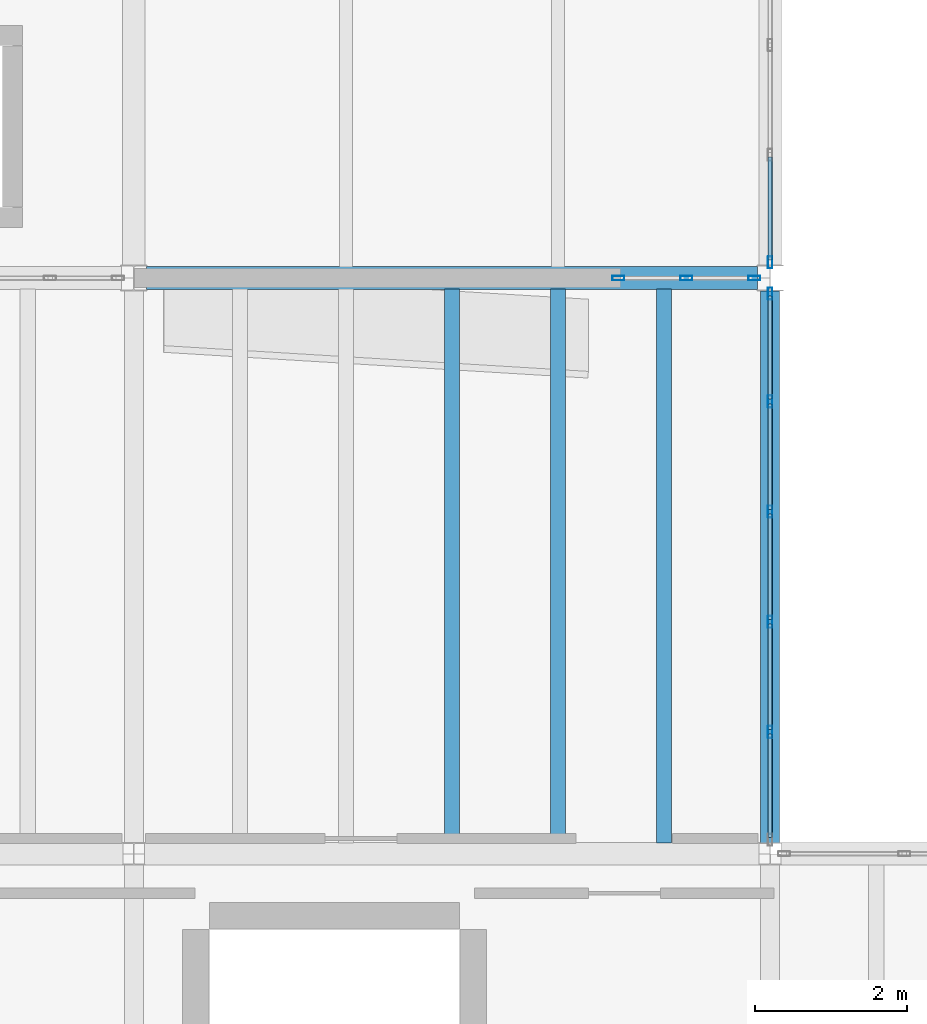
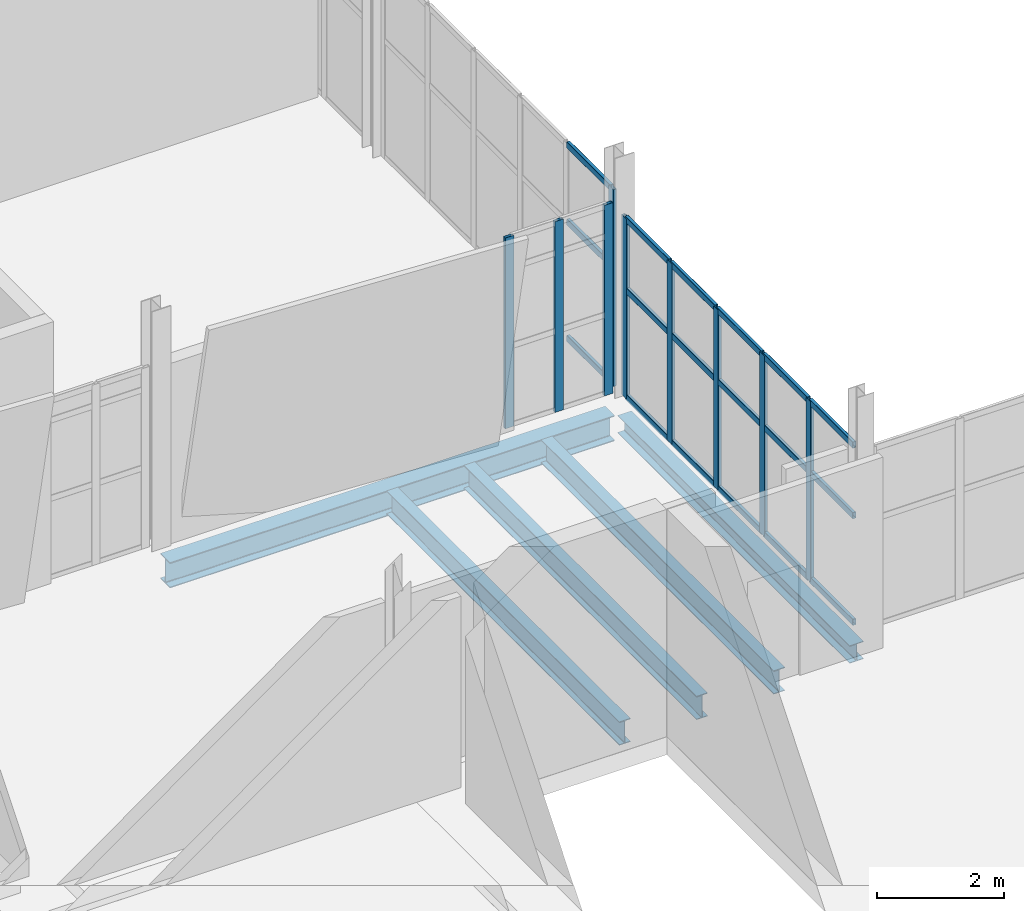
# One storey, part 22 of 136: 27 members, 5 beams, 3 elements without a shape of their own.
"""IFC4 building model written with IfcOpenShell, lengths in metres."""

from ifc_helpers import new_model, si_unit, direction, frame, origin, origin_2d, place, context, subcontext, project, spatial, hollow_rectangle, i_section, extrude, material, material_profile, profile_set, type_object, element, aggregate, save


model = new_model("IFC4")

# Units and contexts
model_context = context("Model", 3, precision=1e-05, world=origin(), true_north=direction((0.0, 1.0)))
body_context = subcontext(model_context, "Body", "Model", "MODEL_VIEW")
ifc_project = project(units=[si_unit("LENGTHUNIT", "METRE"), si_unit("AREAUNIT", "SQUARE_METRE"), si_unit("VOLUMEUNIT", "CUBIC_METRE"), si_unit("PLANEANGLEUNIT", "RADIAN"), si_unit("MASSUNIT", "GRAM", prefix="KILO")], contexts=[model_context])

# Site, building, storey
site_placement = place(None, origin())
site = spatial("IfcSite", under=ifc_project, at=site_placement, CompositionType="ELEMENT")
building_placement = place(site_placement, origin())
building = spatial("IfcBuilding", under=site, at=building_placement, Name="Shengluoqiao Park Theatre", CompositionType="ELEMENT")
storey_placement = place(building_placement, frame((0.0, 0.0, 10.0)))
storey = spatial("IfcBuildingStorey", under=building, at=storey_placement, Name="L02", CompositionType="ELEMENT", Elevation=10.0)

# Curtain wall, members
ifc_material_1 = material(Name="Aluminium 6063-T6", Category="aluminium")
curtain_wall_type_1 = type_object("IfcCurtainWallType", Name="ENV-CW-STUDIO", PredefinedType="NOTDEFINED", material=ifc_material_1)
curtain_wall_1_placement = place(storey_placement, origin())
curtain_wall_1 = element("IfcCurtainWall", 1, at=curtain_wall_1_placement, inside=storey, type_object=curtain_wall_type_1, Name="L02 Curtain Wall CWX-L02-0026", PredefinedType="NOTDEFINED")
ifc_material_profile_1 = material_profile(ifc_material_1, hollow_rectangle(XDim=0.06005859375, YDim=0.159912109375, WallThickness=0.00390625, InnerFilletRadius=0.00390625, OuterFilletRadius=0.008056640625, at=origin_2d()), Name="ALU MULLION 160x60x4")
ifc_profile_set_1 = profile_set([ifc_material_profile_1], Name="Aluminium 6063-T6")
member_type_1 = type_object("IfcMemberType", Name="ENV-MUL-160", PredefinedType="MULLION", material=ifc_profile_set_1)
member_1_placement = place(storey_placement, frame((33.9970703125, 30.39990234375, 0.0), z_axis=(0.0, 0.0, 1.0), x_axis=(0.0, 1.0, 0.0)))
member_1 = element("IfcMember", 2, at=member_1_placement, type_object=member_type_1, Name="CW-02 mullion 1", PredefinedType="MULLION", context=body_context, shape_type="SweptSolid", body=[
    extrude(hollow_rectangle(XDim=0.06005859375, YDim=0.159912109375, WallThickness=0.00390625, InnerFilletRadius=0.00390625, OuterFilletRadius=0.008056640625, at=origin_2d()), origin(), (0.0, 0.0, 1.0), 3.657958984375),
])
member_2_placement = place(storey_placement, frame((34.89453125, 30.39990234375, 0.0), z_axis=(0.0, 0.0, 1.0), x_axis=(0.0, 1.0, 0.0)))
member_2 = element("IfcMember", 3, at=member_2_placement, type_object=member_type_1, Name="CW-02 mullion 2", PredefinedType="MULLION", context=body_context, shape_type="SweptSolid", body=[
    extrude(hollow_rectangle(XDim=0.06005859375, YDim=0.159912109375, WallThickness=0.00390625, InnerFilletRadius=0.00390625, OuterFilletRadius=0.008056640625, at=origin_2d()), origin(), (0.0, 0.0, 1.0), 3.657958984375),
])
member_3_placement = place(storey_placement, frame((35.7919921875, 30.39990234375, 0.0), z_axis=(0.0, 0.0, 1.0), x_axis=(0.0, 1.0, 0.0)))
member_3 = element("IfcMember", 4, at=member_3_placement, type_object=member_type_1, Name="CW-02 mullion 3", PredefinedType="MULLION", context=body_context, shape_type="SweptSolid", body=[
    extrude(hollow_rectangle(XDim=0.06005859375, YDim=0.159912109375, WallThickness=0.00390625, InnerFilletRadius=0.00390625, OuterFilletRadius=0.008056640625, at=origin_2d()), origin(), (0.0, 0.0, 1.0), 3.657958984375),
])
aggregate(curtain_wall_1, [member_1, member_2, member_3])

# Curtain wall, member
curtain_wall_type_2 = type_object("IfcCurtainWallType", Name="ENV-CW-COURT", PredefinedType="NOTDEFINED", material=ifc_material_1)
curtain_wall_2_placement = place(storey_placement, origin())
curtain_wall_2 = element("IfcCurtainWall", 5, at=curtain_wall_2_placement, inside=storey, type_object=curtain_wall_type_2, Name="L02 Curtain Wall CWX-L02-0027", PredefinedType="NOTDEFINED")
member_4_placement = place(storey_placement, frame((36.0, 30.60595703125, 0.0), z_axis=(0.0, 0.0, 1.0), x_axis=(-1.0, 0.0, 0.0)))
member_4 = element("IfcMember", 6, at=member_4_placement, type_object=member_type_1, Name="CW-05 mullion 1", PredefinedType="MULLION", context=body_context, shape_type="SweptSolid", body=[
    extrude(hollow_rectangle(XDim=0.06005859375, YDim=0.159912109375, WallThickness=0.00390625, InnerFilletRadius=0.00390625, OuterFilletRadius=0.008056640625, at=origin_2d()), origin(), (0.0, 0.0, 1.0), 3.77001953125),
])

# Curtain wall, members
curtain_wall_3_placement = place(storey_placement, origin())
curtain_wall_3 = element("IfcCurtainWall", 7, at=curtain_wall_3_placement, inside=storey, type_object=curtain_wall_type_2, Name="L02 Curtain Wall CWX-L02-0166", PredefinedType="NOTDEFINED")
member_5_placement = place(storey_placement, frame((36.0, 24.407958984375, 0.0), z_axis=(0.0, 0.0, 1.0), x_axis=(-1.0, 0.0, 0.0)))
member_5 = element("IfcMember", 8, at=member_5_placement, type_object=member_type_1, Name="CW-05 mullion 2", PredefinedType="MULLION", context=body_context, shape_type="SweptSolid", body=[
    extrude(hollow_rectangle(XDim=0.06005859375, YDim=0.159912109375, WallThickness=0.00390625, InnerFilletRadius=0.00390625, OuterFilletRadius=0.008056640625, at=origin_2d()), origin(), (0.0, 0.0, 1.0), 3.4580078125),
])
member_6_placement = place(storey_placement, frame((36.0, 25.862060546875, 0.0), z_axis=(0.0, 0.0, 1.0), x_axis=(-1.0, 0.0, 0.0)))
member_6 = element("IfcMember", 9, at=member_6_placement, type_object=member_type_1, Name="CW-05 mullion 3", PredefinedType="MULLION", context=body_context, shape_type="SweptSolid", body=[
    extrude(hollow_rectangle(XDim=0.06005859375, YDim=0.159912109375, WallThickness=0.00390625, InnerFilletRadius=0.00390625, OuterFilletRadius=0.008056640625, at=origin_2d()), origin(), (0.0, 0.0, 1.0), 3.4580078125),
])
member_7_placement = place(storey_placement, frame((36.0, 27.31591796875, 0.0), z_axis=(0.0, 0.0, 1.0), x_axis=(-1.0, 0.0, 0.0)))
member_7 = element("IfcMember", 10, at=member_7_placement, type_object=member_type_1, Name="CW-05 mullion 4", PredefinedType="MULLION", context=body_context, shape_type="SweptSolid", body=[
    extrude(hollow_rectangle(XDim=0.06005859375, YDim=0.159912109375, WallThickness=0.00390625, InnerFilletRadius=0.00390625, OuterFilletRadius=0.008056640625, at=origin_2d()), origin(), (0.0, 0.0, 1.0), 3.4580078125),
])
member_8_placement = place(storey_placement, frame((36.0, 28.77001953125, 0.0), z_axis=(0.0, 0.0, 1.0), x_axis=(-1.0, 0.0, 0.0)))
member_8 = element("IfcMember", 11, at=member_8_placement, type_object=member_type_1, Name="CW-05 mullion 5", PredefinedType="MULLION", context=body_context, shape_type="SweptSolid", body=[
    extrude(hollow_rectangle(XDim=0.06005859375, YDim=0.159912109375, WallThickness=0.00390625, InnerFilletRadius=0.00390625, OuterFilletRadius=0.008056640625, at=origin_2d()), origin(), (0.0, 0.0, 1.0), 3.4580078125),
])
member_9_placement = place(storey_placement, frame((36.0, 30.194091796875, 0.0), z_axis=(0.0, 0.0, 1.0), x_axis=(-1.0, 0.0, 0.0)))
member_9 = element("IfcMember", 12, at=member_9_placement, type_object=member_type_1, Name="CW-05 mullion 6", PredefinedType="MULLION", context=body_context, shape_type="SweptSolid", body=[
    extrude(hollow_rectangle(XDim=0.06005859375, YDim=0.159912109375, WallThickness=0.00390625, InnerFilletRadius=0.00390625, OuterFilletRadius=0.008056640625, at=origin_2d()), origin(), (0.0, 0.0, 1.0), 3.4580078125),
])

# Member
ifc_material_profile_2 = material_profile(ifc_material_1, hollow_rectangle(XDim=0.06005859375, YDim=0.1201171875, WallThickness=0.00390625, InnerFilletRadius=0.00390625, OuterFilletRadius=0.008056640625, at=origin_2d()), Name="ALU TRANSOM 120x60x4")
ifc_profile_set_2 = profile_set([ifc_material_profile_2], Name="Aluminium 6063-T6")
member_type_2 = type_object("IfcMemberType", Name="ENV-TRN-120", PredefinedType="USERDEFINED", material=ifc_profile_set_2)
member_10_placement = place(storey_placement, frame((36.0, 30.635986328125, 0.030029296875), z_axis=(0.0, 1.0, 0.0), x_axis=(-1.0, 0.0, 0.0)))
member_10 = element("IfcMember", 13, at=member_10_placement, type_object=member_type_2, Name="CW-05 transom 1.1", ObjectType="TRANSOM", PredefinedType="USERDEFINED", context=body_context, shape_type="SweptSolid", body=[
    extrude(hollow_rectangle(XDim=0.06005859375, YDim=0.1201171875, WallThickness=0.00390625, InnerFilletRadius=0.00390625, OuterFilletRadius=0.008056640625, at=origin_2d()), origin(), (0.0, 0.0, 1.0), 1.359619140625),
])

member_11_placement = place(storey_placement, frame((36.0, 30.635986328125, 2.261962890625), z_axis=(0.0, 1.0, 0.0), x_axis=(-1.0, 0.0, 0.0)))
member_11 = element("IfcMember", 14, at=member_11_placement, type_object=member_type_2, Name="CW-05 transom 1.2", ObjectType="TRANSOM", PredefinedType="USERDEFINED", context=body_context, shape_type="SweptSolid", body=[
    extrude(hollow_rectangle(XDim=0.06005859375, YDim=0.1201171875, WallThickness=0.00390625, InnerFilletRadius=0.00390625, OuterFilletRadius=0.008056640625, at=origin_2d()), origin(), (0.0, 0.0, 1.0), 1.359619140625),
])

member_12_placement = place(storey_placement, frame((36.0, 30.635986328125, 3.739990234375), z_axis=(0.0, 1.0, 0.0), x_axis=(-1.0, 0.0, 0.0)))
member_12 = element("IfcMember", 15, at=member_12_placement, type_object=member_type_2, Name="CW-05 transom 1.3", ObjectType="TRANSOM", PredefinedType="USERDEFINED", context=body_context, shape_type="SweptSolid", body=[
    extrude(hollow_rectangle(XDim=0.06005859375, YDim=0.1201171875, WallThickness=0.00390625, InnerFilletRadius=0.00390625, OuterFilletRadius=0.008056640625, at=origin_2d()), origin(), (0.0, 0.0, 1.0), 1.359619140625),
])

aggregate(curtain_wall_2, [member_4, member_10, member_11, member_12])

member_13_placement = place(storey_placement, frame((36.0, 23.013916015625, 0.030029296875), z_axis=(0.0, 1.0, 0.0), x_axis=(-1.0, 0.0, 0.0)))
member_13 = element("IfcMember", 16, at=member_13_placement, type_object=member_type_2, Name="CW-05 transom 1.1", ObjectType="TRANSOM", PredefinedType="USERDEFINED", context=body_context, shape_type="SweptSolid", body=[
    extrude(hollow_rectangle(XDim=0.06005859375, YDim=0.1201171875, WallThickness=0.00390625, InnerFilletRadius=0.00390625, OuterFilletRadius=0.008056640625, at=origin_2d()), origin(), (0.0, 0.0, 1.0), 1.364013671875),
])

member_14_placement = place(storey_placement, frame((36.0, 23.013916015625, 2.074951171875), z_axis=(0.0, 1.0, 0.0), x_axis=(-1.0, 0.0, 0.0)))
member_14 = element("IfcMember", 17, at=member_14_placement, type_object=member_type_2, Name="CW-05 transom 1.2", ObjectType="TRANSOM", PredefinedType="USERDEFINED", context=body_context, shape_type="SweptSolid", body=[
    extrude(hollow_rectangle(XDim=0.06005859375, YDim=0.1201171875, WallThickness=0.00390625, InnerFilletRadius=0.00390625, OuterFilletRadius=0.008056640625, at=origin_2d()), origin(), (0.0, 0.0, 1.0), 1.364013671875),
])

member_15_placement = place(storey_placement, frame((36.0, 23.013916015625, 3.427978515625), z_axis=(0.0, 1.0, 0.0), x_axis=(-1.0, 0.0, 0.0)))
member_15 = element("IfcMember", 18, at=member_15_placement, type_object=member_type_2, Name="CW-05 transom 1.3", ObjectType="TRANSOM", PredefinedType="USERDEFINED", context=body_context, shape_type="SweptSolid", body=[
    extrude(hollow_rectangle(XDim=0.06005859375, YDim=0.1201171875, WallThickness=0.00390625, InnerFilletRadius=0.00390625, OuterFilletRadius=0.008056640625, at=origin_2d()), origin(), (0.0, 0.0, 1.0), 1.364013671875),
])

member_16_placement = place(storey_placement, frame((36.0, 24.43798828125, 0.030029296875), z_axis=(0.0, 1.0, 0.0), x_axis=(-1.0, 0.0, 0.0)))
member_16 = element("IfcMember", 19, at=member_16_placement, type_object=member_type_2, Name="CW-05 transom 2.1", ObjectType="TRANSOM", PredefinedType="USERDEFINED", context=body_context, shape_type="SweptSolid", body=[
    extrude(hollow_rectangle(XDim=0.06005859375, YDim=0.1201171875, WallThickness=0.00390625, InnerFilletRadius=0.00390625, OuterFilletRadius=0.008056640625, at=origin_2d()), origin(), (0.0, 0.0, 1.0), 1.39404296875),
])

member_17_placement = place(storey_placement, frame((36.0, 24.43798828125, 2.074951171875), z_axis=(0.0, 1.0, 0.0), x_axis=(-1.0, 0.0, 0.0)))
member_17 = element("IfcMember", 20, at=member_17_placement, type_object=member_type_2, Name="CW-05 transom 2.2", ObjectType="TRANSOM", PredefinedType="USERDEFINED", context=body_context, shape_type="SweptSolid", body=[
    extrude(hollow_rectangle(XDim=0.06005859375, YDim=0.1201171875, WallThickness=0.00390625, InnerFilletRadius=0.00390625, OuterFilletRadius=0.008056640625, at=origin_2d()), origin(), (0.0, 0.0, 1.0), 1.39404296875),
])

member_18_placement = place(storey_placement, frame((36.0, 24.43798828125, 3.427978515625), z_axis=(0.0, 1.0, 0.0), x_axis=(-1.0, 0.0, 0.0)))
member_18 = element("IfcMember", 21, at=member_18_placement, type_object=member_type_2, Name="CW-05 transom 2.3", ObjectType="TRANSOM", PredefinedType="USERDEFINED", context=body_context, shape_type="SweptSolid", body=[
    extrude(hollow_rectangle(XDim=0.06005859375, YDim=0.1201171875, WallThickness=0.00390625, InnerFilletRadius=0.00390625, OuterFilletRadius=0.008056640625, at=origin_2d()), origin(), (0.0, 0.0, 1.0), 1.39404296875),
])

member_19_placement = place(storey_placement, frame((36.0, 25.89208984375, 0.030029296875), z_axis=(0.0, 1.0, 0.0), x_axis=(-1.0, 0.0, 0.0)))
member_19 = element("IfcMember", 22, at=member_19_placement, type_object=member_type_2, Name="CW-05 transom 3.1", ObjectType="TRANSOM", PredefinedType="USERDEFINED", context=body_context, shape_type="SweptSolid", body=[
    extrude(hollow_rectangle(XDim=0.06005859375, YDim=0.1201171875, WallThickness=0.00390625, InnerFilletRadius=0.00390625, OuterFilletRadius=0.008056640625, at=origin_2d()), origin(), (0.0, 0.0, 1.0), 1.393798828125),
])

member_20_placement = place(storey_placement, frame((36.0, 25.89208984375, 2.074951171875), z_axis=(0.0, 1.0, 0.0), x_axis=(-1.0, 0.0, 0.0)))
member_20 = element("IfcMember", 23, at=member_20_placement, type_object=member_type_2, Name="CW-05 transom 3.2", ObjectType="TRANSOM", PredefinedType="USERDEFINED", context=body_context, shape_type="SweptSolid", body=[
    extrude(hollow_rectangle(XDim=0.06005859375, YDim=0.1201171875, WallThickness=0.00390625, InnerFilletRadius=0.00390625, OuterFilletRadius=0.008056640625, at=origin_2d()), origin(), (0.0, 0.0, 1.0), 1.393798828125),
])

member_21_placement = place(storey_placement, frame((36.0, 25.89208984375, 3.427978515625), z_axis=(0.0, 1.0, 0.0), x_axis=(-1.0, 0.0, 0.0)))
member_21 = element("IfcMember", 24, at=member_21_placement, type_object=member_type_2, Name="CW-05 transom 3.3", ObjectType="TRANSOM", PredefinedType="USERDEFINED", context=body_context, shape_type="SweptSolid", body=[
    extrude(hollow_rectangle(XDim=0.06005859375, YDim=0.1201171875, WallThickness=0.00390625, InnerFilletRadius=0.00390625, OuterFilletRadius=0.008056640625, at=origin_2d()), origin(), (0.0, 0.0, 1.0), 1.393798828125),
])

member_22_placement = place(storey_placement, frame((36.0, 27.345947265625, 0.030029296875), z_axis=(0.0, 1.0, 0.0), x_axis=(-1.0, 0.0, 0.0)))
member_22 = element("IfcMember", 25, at=member_22_placement, type_object=member_type_2, Name="CW-05 transom 4.1", ObjectType="TRANSOM", PredefinedType="USERDEFINED", context=body_context, shape_type="SweptSolid", body=[
    extrude(hollow_rectangle(XDim=0.06005859375, YDim=0.1201171875, WallThickness=0.00390625, InnerFilletRadius=0.00390625, OuterFilletRadius=0.008056640625, at=origin_2d()), origin(), (0.0, 0.0, 1.0), 1.39404296875),
])

member_23_placement = place(storey_placement, frame((36.0, 27.345947265625, 2.074951171875), z_axis=(0.0, 1.0, 0.0), x_axis=(-1.0, 0.0, 0.0)))
member_23 = element("IfcMember", 26, at=member_23_placement, type_object=member_type_2, Name="CW-05 transom 4.2", ObjectType="TRANSOM", PredefinedType="USERDEFINED", context=body_context, shape_type="SweptSolid", body=[
    extrude(hollow_rectangle(XDim=0.06005859375, YDim=0.1201171875, WallThickness=0.00390625, InnerFilletRadius=0.00390625, OuterFilletRadius=0.008056640625, at=origin_2d()), origin(), (0.0, 0.0, 1.0), 1.39404296875),
])

member_24_placement = place(storey_placement, frame((36.0, 27.345947265625, 3.427978515625), z_axis=(0.0, 1.0, 0.0), x_axis=(-1.0, 0.0, 0.0)))
member_24 = element("IfcMember", 27, at=member_24_placement, type_object=member_type_2, Name="CW-05 transom 4.3", ObjectType="TRANSOM", PredefinedType="USERDEFINED", context=body_context, shape_type="SweptSolid", body=[
    extrude(hollow_rectangle(XDim=0.06005859375, YDim=0.1201171875, WallThickness=0.00390625, InnerFilletRadius=0.00390625, OuterFilletRadius=0.008056640625, at=origin_2d()), origin(), (0.0, 0.0, 1.0), 1.39404296875),
])

member_25_placement = place(storey_placement, frame((36.0, 28.800048828125, 0.030029296875), z_axis=(0.0, 1.0, 0.0), x_axis=(-1.0, 0.0, 0.0)))
member_25 = element("IfcMember", 28, at=member_25_placement, type_object=member_type_2, Name="CW-05 transom 5.1", ObjectType="TRANSOM", PredefinedType="USERDEFINED", context=body_context, shape_type="SweptSolid", body=[
    extrude(hollow_rectangle(XDim=0.06005859375, YDim=0.1201171875, WallThickness=0.00390625, InnerFilletRadius=0.00390625, OuterFilletRadius=0.008056640625, at=origin_2d()), origin(), (0.0, 0.0, 1.0), 1.364013671875),
])

member_26_placement = place(storey_placement, frame((36.0, 28.800048828125, 2.074951171875), z_axis=(0.0, 1.0, 0.0), x_axis=(-1.0, 0.0, 0.0)))
member_26 = element("IfcMember", 29, at=member_26_placement, type_object=member_type_2, Name="CW-05 transom 5.2", ObjectType="TRANSOM", PredefinedType="USERDEFINED", context=body_context, shape_type="SweptSolid", body=[
    extrude(hollow_rectangle(XDim=0.06005859375, YDim=0.1201171875, WallThickness=0.00390625, InnerFilletRadius=0.00390625, OuterFilletRadius=0.008056640625, at=origin_2d()), origin(), (0.0, 0.0, 1.0), 1.364013671875),
])

member_27_placement = place(storey_placement, frame((36.0, 28.800048828125, 3.427978515625), z_axis=(0.0, 1.0, 0.0), x_axis=(-1.0, 0.0, 0.0)))
member_27 = element("IfcMember", 30, at=member_27_placement, type_object=member_type_2, Name="CW-05 transom 5.3", ObjectType="TRANSOM", PredefinedType="USERDEFINED", context=body_context, shape_type="SweptSolid", body=[
    extrude(hollow_rectangle(XDim=0.06005859375, YDim=0.1201171875, WallThickness=0.00390625, InnerFilletRadius=0.00390625, OuterFilletRadius=0.008056640625, at=origin_2d()), origin(), (0.0, 0.0, 1.0), 1.364013671875),
])

aggregate(curtain_wall_3, [member_5, member_6, member_7, member_8, member_9, member_13, member_14, member_15, member_16, member_17, member_18, member_19, member_20, member_21, member_22, member_23, member_24, member_25, member_26, member_27])

# Beams
ifc_material_2 = material(Name="Steel Q355", Category="steel")
ifc_material_profile_3 = material_profile(ifc_material_2, i_section(OverallWidth=0.25, OverallDepth=0.340087890625, WebThickness=0.009033203125, FlangeThickness=0.013916015625, FilletRadius=0.01611328125, at=origin_2d()), Name="HM 340x250x9x14")
ifc_profile_set_3 = profile_set([ifc_material_profile_3], Name="Steel Q355")
beam_type_1 = type_object("IfcBeamType", Name="STR-BM-G-HM340", PredefinedType="BEAM", material=ifc_profile_set_3)
beam_1_placement = place(storey_placement, frame((36.0, 22.944091796875, -0.510009765625), z_axis=(0.0, 1.0, 0.0), x_axis=(-1.0, 0.0, 0.0)))
element("IfcBeam", 31, at=beam_1_placement, inside=storey, type_object=beam_type_1, Name="L02 Transverse Girder 00934", PredefinedType="BEAM", context=body_context, shape_type="SweptSolid", body=[
    extrude(i_section(OverallWidth=0.25, OverallDepth=0.340087890625, WebThickness=0.009033203125, FlangeThickness=0.013916015625, FilletRadius=0.01611328125, at=origin_2d()), origin(), (0.0, 0.0, 1.0), 7.286865234375),
])
ifc_material_profile_4 = material_profile(ifc_material_2, i_section(OverallWidth=0.300048828125, OverallDepth=0.488037109375, WebThickness=0.010986328125, FlangeThickness=0.01806640625, FilletRadius=0.02197265625, at=origin_2d()), Name="HM 488x300x11x18")
ifc_profile_set_4 = profile_set([ifc_material_profile_4], Name="Steel Q355")
beam_type_2 = type_object("IfcBeamType", Name="STR-BM-G-HM488", PredefinedType="BEAM", material=ifc_profile_set_4)
beam_2_placement = place(storey_placement, frame((27.76904296875, 30.39990234375, -0.583984375), z_axis=(1.0, 0.0, 0.0), x_axis=(0.0, 1.0, 0.0)))
element("IfcBeam", 32, at=beam_2_placement, inside=storey, type_object=beam_type_2, Name="L02 Primary Girder 00876", PredefinedType="BEAM", context=body_context, shape_type="SweptSolid", body=[
    extrude(i_section(OverallWidth=0.300048828125, OverallDepth=0.488037109375, WebThickness=0.010986328125, FlangeThickness=0.01806640625, FilletRadius=0.02197265625, at=origin_2d()), origin(), (0.0, 0.0, 1.0), 8.06201171875),
])
ifc_material_profile_5 = material_profile(ifc_material_2, i_section(OverallWidth=0.199951171875, OverallDepth=0.449951171875, WebThickness=0.009033203125, FlangeThickness=0.013916015625, FilletRadius=0.01611328125, at=origin_2d()), Name="HN 450x200x9x14")
ifc_profile_set_5 = profile_set([ifc_material_profile_5], Name="Steel Q355")
beam_type_3 = type_object("IfcBeamType", Name="STR-BM-J-HN450", PredefinedType="JOIST", material=ifc_profile_set_5)
for number, where, z_axis, x_axis, name in (
    (33, (31.800048828125, 22.945068359375, -0.56494140625), (0.0, 1.0, 0.0), (-1.0, 0.0, 0.0), "L02 Composite Joist 00942"),
    (34, (33.199951171875, 22.945068359375, -0.56494140625), (0.0, 1.0, 0.0), (-1.0, 0.0, 0.0), "L02 Composite Joist 00943"),
    (35, (34.60009765625, 22.945068359375, -0.56494140625), (0.0, 1.0, 0.0), (-1.0, 0.0, 0.0), "L02 Composite Joist 00944"),
):
    element("IfcBeam", number, at=place(storey_placement, frame(where, z_axis=z_axis, x_axis=x_axis)), inside=storey, type_object=beam_type_3, Name=name, PredefinedType="JOIST", context=body_context, shape_type="SweptSolid", body=[
        extrude(i_section(OverallWidth=0.199951171875, OverallDepth=0.449951171875, WebThickness=0.009033203125, FlangeThickness=0.013916015625, FilletRadius=0.01611328125, at=origin_2d()), origin(), (0.0, 0.0, 1.0), 7.309814453125),
    ])

save(model, "model.ifc")
